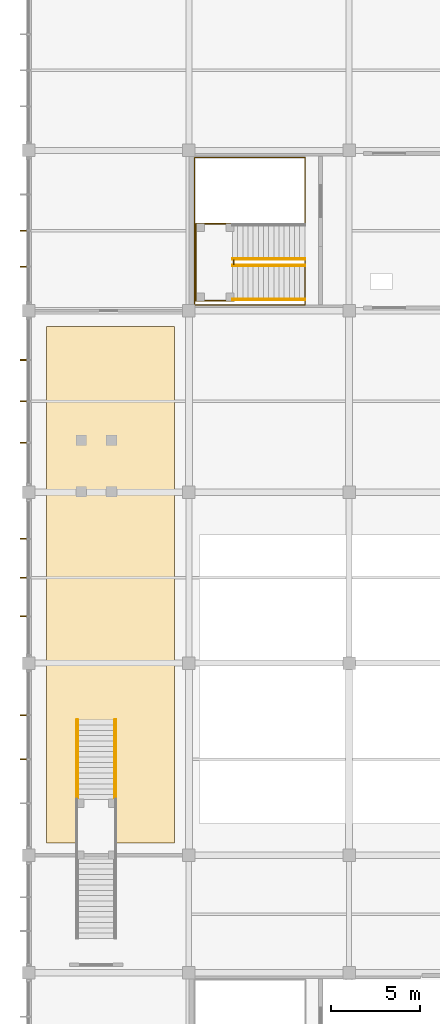
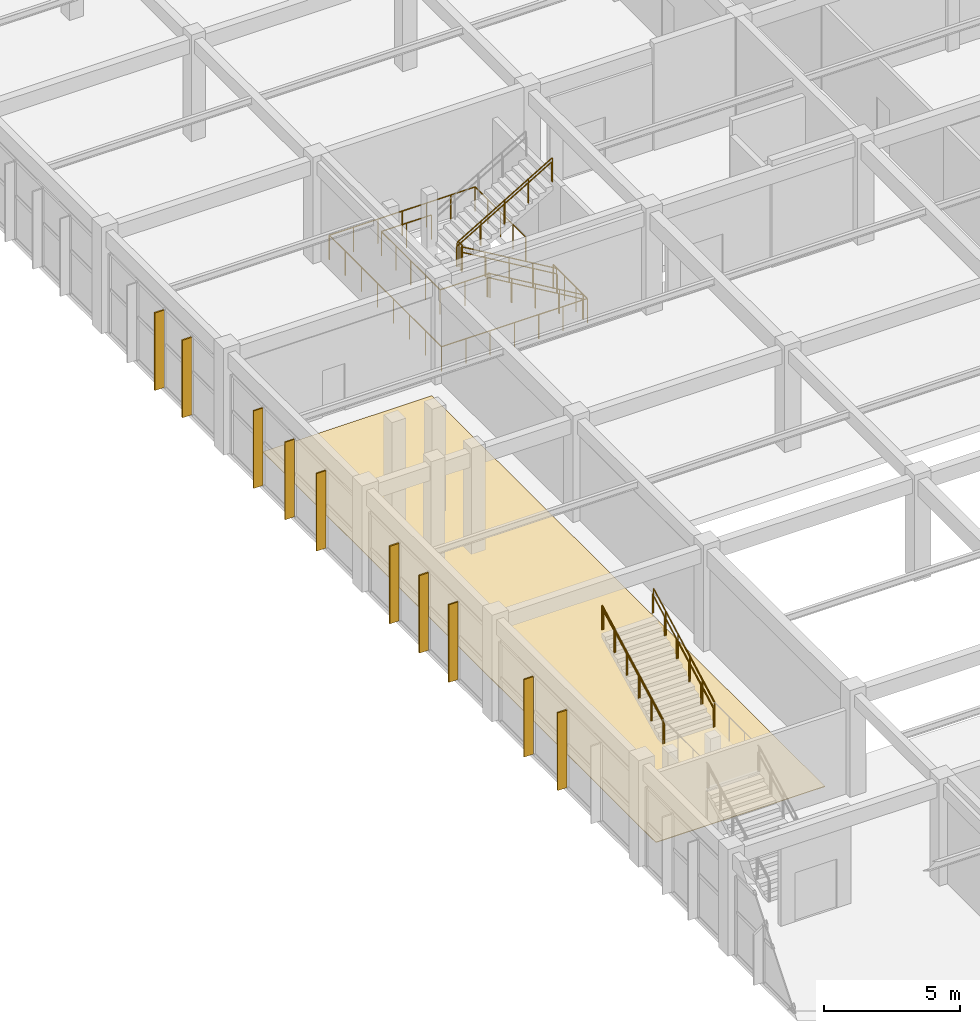
# One storey, part 59 of 74: 13 railings, 10 shading devices, 1 covering.
"""IFC4 building model written with IfcOpenShell, lengths in metres."""

from ifc_helpers import new_model, si_unit, direction, frame, origin, origin_2d, place, context, subcontext, project, spatial, polyline, rectangle, circle, outline, extrude, material, layer, layer_set, type_object, element, save


model = new_model("IFC4")

# Units and contexts
model_context = context("Model", 3, precision=1e-05, world=origin(), true_north=direction((0.0, 1.0)))
body_context = subcontext(model_context, "Body", "Model", "MODEL_VIEW")
ifc_project = project(units=[si_unit("LENGTHUNIT", "METRE"), si_unit("AREAUNIT", "SQUARE_METRE"), si_unit("VOLUMEUNIT", "CUBIC_METRE"), si_unit("PLANEANGLEUNIT", "RADIAN"), si_unit("MASSUNIT", "GRAM", prefix="KILO")], contexts=[model_context])

# Site, building, storey
site_placement = place(None, origin())
site = spatial("IfcSite", under=ifc_project, at=site_placement, CompositionType="ELEMENT")
building_placement = place(site_placement, origin())
building = spatial("IfcBuilding", under=site, at=building_placement, Name="Suirenkawa Promenade Aquatics Centre", CompositionType="ELEMENT")
storey_placement = place(building_placement, frame((0.0, 0.0, 4.800048828125)))
storey = spatial("IfcBuildingStorey", under=building, at=storey_placement, Name="L01", CompositionType="ELEMENT", Elevation=4.800048828125)

# Covering
ifc_material_1 = material(Name="Vitrified anti-slip natatorium ceramic tile")
ifc_layer = layer(ifc_material_1, 0.02490234375, Name="Vitrified anti-slip natatorium ceramic tile")
ifc_layer_set = layer_set([ifc_layer], Name="Vitrified anti-slip natatorium ceramic tile")
covering_type = type_object("IfcCoveringType", Name="CVT-WET-TILE", PredefinedType="FLOORING", material=ifc_layer_set)
covering_placement = place(storey_placement, origin())
element("IfcCovering", 1, at=covering_placement, inside=storey, type_object=covering_type, Name="Floor finish FLR-01 FLR-007", PredefinedType="FLOORING", context=body_context, shape_type="SweptSolid", body=[
    extrude(outline(polyline([(1.0, 29.5), (8.199951171875, 29.5), (8.199951171875, 58.5), (1.0, 58.5), (1.0, 29.5)])), origin(), (0.0, 0.0, 1.0), 0.02490234375),
])

# Railings
ifc_material_2 = material(Name="Marine-grade stainless steel Grade 316L", Category="steel")
railing_type_1 = type_object("IfcRailingType", Name="RLT-GUARD-1120", PredefinedType="GUARDRAIL", material=ifc_material_2)
for number, where, name in (
    (2, (15.514892578125, 61.9599609375, 0.0), "Guardrail GRD-01 RL-0071"),
    (3, (15.514892578125, 60.0, 0.0), "Guardrail GRD-01 RL-0073"),
):
    element("IfcRailing", number, at=place(storey_placement, frame(where)), inside=storey, type_object=railing_type_1, Name=name, PredefinedType="GUARDRAIL", context=body_context, shape_type="SweptSolid", body=[
        extrude(circle(Radius=0.02392578125, at=origin_2d()), frame((0.0, 0.0, 1.09619140625), z_axis=(-0.860840976868, 0.0, 0.508874063541), x_axis=(0.0, -1.0, 0.0)), (0.0, 0.0, 1.0), 4.716064453125),
        extrude(circle(Radius=0.02099609375, at=origin_2d()), origin(), (0.0, 0.0, 1.0), 1.072021484375),
        extrude(circle(Radius=0.02099609375, at=origin_2d()), frame((-1.014892578125, 0.0, 0.60009765625)), (0.0, 0.0, 1.0), 1.072021484375),
        extrude(circle(Radius=0.02099609375, at=origin_2d()), frame((-2.02978515625, 0.0, 1.199951171875)), (0.0, 0.0, 1.0), 1.072021484375),
        extrude(circle(Radius=0.02099609375, at=origin_2d()), frame((-3.044921875, 0.0, 1.7998046875)), (0.0, 0.0, 1.0), 1.072021484375),
        extrude(circle(Radius=0.02099609375, at=origin_2d()), frame((-4.059814453125, 0.0, 2.39990234375)), (0.0, 0.0, 1.0), 1.072021484375),
    ])
railing_1_placement = place(storey_placement, frame((11.455078125, 62.27001953125, 2.39990234375)))
element("IfcRailing", 4, at=railing_1_placement, inside=storey, type_object=railing_type_1, Name="Guardrail GRD-01 RL-0075", PredefinedType="GUARDRAIL", context=body_context, shape_type="SweptSolid", body=[
    extrude(circle(Radius=0.02392578125, at=origin_2d()), frame((0.0, 0.0, 1.09619140625), z_axis=(0.860818299379, 0.0, 0.50891242415), x_axis=(0.0, 1.0, 0.0)), (0.0, 0.0, 1.0), 4.71630859375),
    extrude(circle(Radius=0.02099609375, at=origin_2d()), origin(), (0.0, 0.0, 1.0), 1.072021484375),
    extrude(circle(Radius=0.02099609375, at=origin_2d()), frame((1.014892578125, 0.0, 0.60009765625)), (0.0, 0.0, 1.0), 1.072021484375),
    extrude(circle(Radius=0.02099609375, at=origin_2d()), frame((2.02978515625, 0.0, 1.2001953125)), (0.0, 0.0, 1.0), 1.072021484375),
    extrude(circle(Radius=0.02099609375, at=origin_2d()), frame((3.044921875, 0.0, 1.800048828125)), (0.0, 0.0, 1.0), 1.072021484375),
    extrude(circle(Radius=0.02099609375, at=origin_2d()), frame((4.059814453125, 0.0, 2.400146484375)), (0.0, 0.0, 1.0), 1.072021484375),
])
railing_2_placement = place(storey_placement, frame((11.52001953125, 59.949951171875, 2.39990234375)))
element("IfcRailing", 5, at=railing_2_placement, inside=storey, type_object=railing_type_1, Name="Guardrail GRD-01 RL-0079", PredefinedType="GUARDRAIL", context=body_context, shape_type="SweptSolid", body=[
    extrude(circle(Radius=0.02392578125, at=origin_2d()), frame((0.0, 0.0, 1.09619140625), z_axis=(-1.0, 0.0, 0.0), x_axis=(0.0, -1.0, 0.0)), (0.0, 0.0, 1.0), 2.130126953125),
    extrude(circle(Radius=0.02392578125, at=origin_2d()), frame((-2.130126953125, 0.0, 1.09619140625), z_axis=(0.0, 1.0, 0.0), x_axis=(-1.0, 0.0, 0.0)), (0.0, 0.0, 1.0), 4.330078125),
    extrude(circle(Radius=0.02392578125, at=origin_2d()), frame((-2.130126953125, 4.330078125, 1.09619140625), z_axis=(1.0, 0.0, 0.0), x_axis=(0.0, 1.0, 0.0)), (0.0, 0.0, 1.0), 2.130126953125),
    extrude(circle(Radius=0.02099609375, at=origin_2d()), origin(), (0.0, 0.0, 1.0), 1.072021484375),
    extrude(circle(Radius=0.02099609375, at=origin_2d()), frame((-1.06494140625, 0.0, 0.0)), (0.0, 0.0, 1.0), 1.072021484375),
    extrude(circle(Radius=0.02099609375, at=origin_2d()), frame((-2.130126953125, 0.0, 0.0)), (0.0, 0.0, 1.0), 1.072021484375),
    extrude(circle(Radius=0.02099609375, at=origin_2d()), frame((-2.130126953125, 1.08251953125, 0.0)), (0.0, 0.0, 1.0), 1.072021484375),
    extrude(circle(Radius=0.02099609375, at=origin_2d()), frame((-2.130126953125, 2.1650390625, 0.0)), (0.0, 0.0, 1.0), 1.072021484375),
    extrude(circle(Radius=0.02099609375, at=origin_2d()), frame((-2.130126953125, 3.24755859375, 0.0)), (0.0, 0.0, 1.0), 1.072021484375),
    extrude(circle(Radius=0.02099609375, at=origin_2d()), frame((-2.130126953125, 4.330078125, 0.0)), (0.0, 0.0, 1.0), 1.072021484375),
    extrude(circle(Radius=0.02099609375, at=origin_2d()), frame((-1.06494140625, 4.330078125, 0.0)), (0.0, 0.0, 1.0), 1.072021484375),
    extrude(circle(Radius=0.02099609375, at=origin_2d()), frame((0.0, 4.330078125, 0.0)), (0.0, 0.0, 1.0), 1.072021484375),
])
railing_3_placement = place(storey_placement, frame((11.52001953125, 61.989990234375, 2.39990234375)))
element("IfcRailing", 6, at=railing_3_placement, inside=storey, type_object=railing_type_1, Name="Guardrail GRD-01 RL-0080", PredefinedType="GUARDRAIL", context=body_context, shape_type="SweptSolid", body=[
    extrude(circle(Radius=0.02392578125, at=origin_2d()), frame((0.0, 0.0, 1.09619140625), z_axis=(0.0, 1.0, 0.0), x_axis=(-1.0, 0.0, 0.0)), (0.0, 0.0, 1.0), 0.25),
    extrude(circle(Radius=0.02099609375, at=origin_2d()), origin(), (0.0, 0.0, 1.0), 1.072021484375),
    extrude(circle(Radius=0.02099609375, at=origin_2d()), frame((0.0, 0.25, 0.0)), (0.0, 0.0, 1.0), 1.072021484375),
])
for number, where, name in (
    (7, (2.705078125, 31.919921875, 2.39990234375), "Guardrail GRD-01 RL-0355"),
    (8, (4.89501953125, 31.919921875, 2.39990234375), "Guardrail GRD-01 RL-0357"),
):
    element("IfcRailing", number, at=place(storey_placement, frame(where)), inside=storey, type_object=railing_type_1, Name=name, PredefinedType="GUARDRAIL", context=body_context, shape_type="SweptSolid", body=[
        extrude(circle(Radius=0.02392578125, at=origin_2d()), frame((0.0, 0.0, 1.09619140625), z_axis=(0.0, 0.882341014787, 0.470610596591), x_axis=(-1.0, 0.0, 0.0)), (0.0, 0.0, 1.0), 5.10009765625),
        extrude(circle(Radius=0.02099609375, at=origin_2d()), origin(), (0.0, 0.0, 1.0), 1.072021484375),
        extrude(circle(Radius=0.02099609375, at=origin_2d()), frame((0.0, 0.89990234375, 0.47998046875)), (0.0, 0.0, 1.0), 1.072021484375),
        extrude(circle(Radius=0.02099609375, at=origin_2d()), frame((0.0, 1.800048828125, 0.9599609375)), (0.0, 0.0, 1.0), 1.072021484375),
        extrude(circle(Radius=0.02099609375, at=origin_2d()), frame((0.0, 2.699951171875, 1.440185546875)), (0.0, 0.0, 1.0), 1.072021484375),
        extrude(circle(Radius=0.02099609375, at=origin_2d()), frame((0.0, 3.60009765625, 1.920166015625)), (0.0, 0.0, 1.0), 1.072021484375),
        extrude(circle(Radius=0.02099609375, at=origin_2d()), frame((0.0, 4.5, 2.400146484375)), (0.0, 0.0, 1.0), 1.072021484375),
    ])
railing_4_placement = place(storey_placement, frame((15.530029296875, 64.260009765625, 0.0)))
element("IfcRailing", 9, at=railing_4_placement, inside=storey, type_object=railing_type_1, Name="Guardrail GRD-01 RL-0408", PredefinedType="GUARDRAIL", context=body_context, shape_type="SweptSolid", body=[
    extrude(circle(Radius=0.02392578125, at=origin_2d()), frame((0.0, 0.0, 1.09619140625), z_axis=(0.0, 1.0, 0.0), x_axis=(-1.0, 0.0, 0.0)), (0.0, 0.0, 1.0), 3.739990234375),
    extrude(circle(Radius=0.02392578125, at=origin_2d()), frame((0.0, 3.739990234375, 1.09619140625), z_axis=(-1.0, 0.0, 0.0), x_axis=(0.0, -1.0, 0.0)), (0.0, 0.0, 1.0), 6.2099609375),
    extrude(circle(Radius=0.02392578125, at=origin_2d()), frame((-6.2099609375, 3.739990234375, 1.09619140625), z_axis=(0.0, -1.0, 0.0), x_axis=(1.0, 0.0, 0.0)), (0.0, 0.0, 1.0), 8.280029296875),
    extrude(circle(Radius=0.02392578125, at=origin_2d()), frame((-6.2099609375, -4.5400390625, 1.09619140625), z_axis=(1.0, 0.0, 0.0), x_axis=(0.0, 1.0, 0.0)), (0.0, 0.0, 1.0), 6.2099609375),
    extrude(circle(Radius=0.02392578125, at=origin_2d()), frame((0.0, -4.5400390625, 1.09619140625), z_axis=(0.0, 1.0, 0.0), x_axis=(-1.0, 0.0, 0.0)), (0.0, 0.0, 1.0), 2.52001953125),
    extrude(circle(Radius=0.02099609375, at=origin_2d()), origin(), (0.0, 0.0, 1.0), 1.072021484375),
    extrude(circle(Radius=0.02099609375, at=origin_2d()), frame((0.0, 0.93505859375, 0.0)), (0.0, 0.0, 1.0), 1.072021484375),
    extrude(circle(Radius=0.02099609375, at=origin_2d()), frame((0.0, 1.8701171875, 0.0)), (0.0, 0.0, 1.0), 1.072021484375),
    extrude(circle(Radius=0.02099609375, at=origin_2d()), frame((0.0, 2.804931640625, 0.0)), (0.0, 0.0, 1.0), 1.072021484375),
    extrude(circle(Radius=0.02099609375, at=origin_2d()), frame((0.0, 3.739990234375, 0.0)), (0.0, 0.0, 1.0), 1.072021484375),
    extrude(circle(Radius=0.02099609375, at=origin_2d()), frame((-1.034912109375, 3.739990234375, 0.0)), (0.0, 0.0, 1.0), 1.072021484375),
    extrude(circle(Radius=0.02099609375, at=origin_2d()), frame((-2.070068359375, 3.739990234375, 0.0)), (0.0, 0.0, 1.0), 1.072021484375),
    extrude(circle(Radius=0.02099609375, at=origin_2d()), frame((-3.10498046875, 3.739990234375, 0.0)), (0.0, 0.0, 1.0), 1.072021484375),
    extrude(circle(Radius=0.02099609375, at=origin_2d()), frame((-4.139892578125, 3.739990234375, 0.0)), (0.0, 0.0, 1.0), 1.072021484375),
    extrude(circle(Radius=0.02099609375, at=origin_2d()), frame((-5.175048828125, 3.739990234375, 0.0)), (0.0, 0.0, 1.0), 1.072021484375),
    extrude(circle(Radius=0.02099609375, at=origin_2d()), frame((-6.2099609375, 3.739990234375, 0.0)), (0.0, 0.0, 1.0), 1.072021484375),
    extrude(circle(Radius=0.02099609375, at=origin_2d()), frame((-6.2099609375, 2.55712890625, 0.0)), (0.0, 0.0, 1.0), 1.072021484375),
    extrude(circle(Radius=0.02099609375, at=origin_2d()), frame((-6.2099609375, 1.374267578125, 0.0)), (0.0, 0.0, 1.0), 1.072021484375),
    extrude(circle(Radius=0.02099609375, at=origin_2d()), frame((-6.2099609375, 0.19140625, 0.0)), (0.0, 0.0, 1.0), 1.072021484375),
    extrude(circle(Radius=0.02099609375, at=origin_2d()), frame((-6.2099609375, -0.991455078125, 0.0)), (0.0, 0.0, 1.0), 1.072021484375),
    extrude(circle(Radius=0.02099609375, at=origin_2d()), frame((-6.2099609375, -2.17431640625, 0.0)), (0.0, 0.0, 1.0), 1.072021484375),
    extrude(circle(Radius=0.02099609375, at=origin_2d()), frame((-6.2099609375, -3.357177734375, 0.0)), (0.0, 0.0, 1.0), 1.072021484375),
    extrude(circle(Radius=0.02099609375, at=origin_2d()), frame((-6.2099609375, -4.5400390625, 0.0)), (0.0, 0.0, 1.0), 1.072021484375),
    extrude(circle(Radius=0.02099609375, at=origin_2d()), frame((-5.175048828125, -4.5400390625, 0.0)), (0.0, 0.0, 1.0), 1.072021484375),
    extrude(circle(Radius=0.02099609375, at=origin_2d()), frame((-4.139892578125, -4.5400390625, 0.0)), (0.0, 0.0, 1.0), 1.072021484375),
    extrude(circle(Radius=0.02099609375, at=origin_2d()), frame((-3.10498046875, -4.5400390625, 0.0)), (0.0, 0.0, 1.0), 1.072021484375),
    extrude(circle(Radius=0.02099609375, at=origin_2d()), frame((-2.070068359375, -4.5400390625, 0.0)), (0.0, 0.0, 1.0), 1.072021484375),
    extrude(circle(Radius=0.02099609375, at=origin_2d()), frame((-1.034912109375, -4.5400390625, 0.0)), (0.0, 0.0, 1.0), 1.072021484375),
    extrude(circle(Radius=0.02099609375, at=origin_2d()), frame((0.0, -4.5400390625, 0.0)), (0.0, 0.0, 1.0), 1.072021484375),
    extrude(circle(Radius=0.02099609375, at=origin_2d()), frame((0.0, -3.699951171875, 0.0)), (0.0, 0.0, 1.0), 1.072021484375),
    extrude(circle(Radius=0.02099609375, at=origin_2d()), frame((0.0, -2.860107421875, 0.0)), (0.0, 0.0, 1.0), 1.072021484375),
    extrude(circle(Radius=0.02099609375, at=origin_2d()), frame((0.0, -2.02001953125, 0.0)), (0.0, 0.0, 1.0), 1.072021484375),
])
railing_type_2 = type_object("IfcRailingType", Name="RLT-HANDRAIL-900", PredefinedType="HANDRAIL", material=ifc_material_2)
for number, where, name in (
    (10, (15.514892578125, 61.909912109375, 0.0), "Handrail HRL-01 RL-0072"),
    (11, (15.514892578125, 60.050048828125, 0.0), "Handrail HRL-01 RL-0074"),
):
    element("IfcRailing", number, at=place(storey_placement, frame(where)), inside=storey, type_object=railing_type_2, Name=name, PredefinedType="HANDRAIL", context=body_context, shape_type="SweptSolid", body=[
        extrude(circle(Radius=0.02392578125, at=origin_2d()), frame((0.0, 0.0, 0.8759765625), z_axis=(-0.860840976868, 0.0, 0.508874063541), x_axis=(0.0, -1.0, 0.0)), (0.0, 0.0, 1.0), 4.716064453125),
        extrude(circle(Radius=0.02099609375, at=origin_2d()), origin(), (0.0, 0.0, 1.0), 0.851806640625),
        extrude(circle(Radius=0.02099609375, at=origin_2d()), frame((-1.014892578125, 0.0, 0.60009765625)), (0.0, 0.0, 1.0), 0.851806640625),
        extrude(circle(Radius=0.02099609375, at=origin_2d()), frame((-2.02978515625, 0.0, 1.199951171875)), (0.0, 0.0, 1.0), 0.851806640625),
        extrude(circle(Radius=0.02099609375, at=origin_2d()), frame((-3.044921875, 0.0, 1.7998046875)), (0.0, 0.0, 1.0), 0.851806640625),
        extrude(circle(Radius=0.02099609375, at=origin_2d()), frame((-4.059814453125, 0.0, 2.39990234375)), (0.0, 0.0, 1.0), 0.851806640625),
    ])
railing_5_placement = place(storey_placement, frame((11.455078125, 62.320068359375, 2.39990234375)))
element("IfcRailing", 12, at=railing_5_placement, inside=storey, type_object=railing_type_2, Name="Handrail HRL-01 RL-0076", PredefinedType="HANDRAIL", context=body_context, shape_type="SweptSolid", body=[
    extrude(circle(Radius=0.02392578125, at=origin_2d()), frame((0.0, 0.0, 0.8759765625), z_axis=(0.860818299379, 0.0, 0.50891242415), x_axis=(0.0, 1.0, 0.0)), (0.0, 0.0, 1.0), 4.71630859375),
    extrude(circle(Radius=0.02099609375, at=origin_2d()), origin(), (0.0, 0.0, 1.0), 0.851806640625),
    extrude(circle(Radius=0.02099609375, at=origin_2d()), frame((1.014892578125, 0.0, 0.60009765625)), (0.0, 0.0, 1.0), 0.851806640625),
    extrude(circle(Radius=0.02099609375, at=origin_2d()), frame((2.02978515625, 0.0, 1.2001953125)), (0.0, 0.0, 1.0), 0.851806640625),
    extrude(circle(Radius=0.02099609375, at=origin_2d()), frame((3.044921875, 0.0, 1.800048828125)), (0.0, 0.0, 1.0), 0.851806640625),
    extrude(circle(Radius=0.02099609375, at=origin_2d()), frame((4.059814453125, 0.0, 2.400146484375)), (0.0, 0.0, 1.0), 0.851806640625),
])
for number, where, name in (
    (13, (2.7548828125, 31.919921875, 2.39990234375), "Handrail HRL-01 RL-0356"),
    (14, (4.844970703125, 31.919921875, 2.39990234375), "Handrail HRL-01 RL-0358"),
):
    element("IfcRailing", number, at=place(storey_placement, frame(where)), inside=storey, type_object=railing_type_2, Name=name, PredefinedType="HANDRAIL", context=body_context, shape_type="SweptSolid", body=[
        extrude(circle(Radius=0.02392578125, at=origin_2d()), frame((0.0, 0.0, 0.8759765625), z_axis=(0.0, 0.882341014787, 0.470610596591), x_axis=(-1.0, 0.0, 0.0)), (0.0, 0.0, 1.0), 5.10009765625),
        extrude(circle(Radius=0.02099609375, at=origin_2d()), origin(), (0.0, 0.0, 1.0), 0.851806640625),
        extrude(circle(Radius=0.02099609375, at=origin_2d()), frame((0.0, 0.89990234375, 0.47998046875)), (0.0, 0.0, 1.0), 0.851806640625),
        extrude(circle(Radius=0.02099609375, at=origin_2d()), frame((0.0, 1.800048828125, 0.9599609375)), (0.0, 0.0, 1.0), 0.851806640625),
        extrude(circle(Radius=0.02099609375, at=origin_2d()), frame((0.0, 2.699951171875, 1.440185546875)), (0.0, 0.0, 1.0), 0.851806640625),
        extrude(circle(Radius=0.02099609375, at=origin_2d()), frame((0.0, 3.60009765625, 1.920166015625)), (0.0, 0.0, 1.0), 0.851806640625),
        extrude(circle(Radius=0.02099609375, at=origin_2d()), frame((0.0, 4.5, 2.400146484375)), (0.0, 0.0, 1.0), 0.851806640625),
    ])

# Shading devices
ifc_material_3 = material(Name="Anodised aluminium 6063-T6", Category="aluminium")
shading_device_type = type_object("IfcShadingDeviceType", Name="SDT-KOUSHI-400", PredefinedType="USERDEFINED", material=ifc_material_3)
for number, where, z_axis, x_axis, name in (
    (15, (-0.287109375, 34.199951171875, 0.0400390625), (0.0, 0.0, 1.0), (-1.0, 0.0, 0.0), "Vertical solar shading fin FN-01 FIN-0104"),
    (16, (-0.287109375, 36.675537109375, 0.0400390625), (0.0, 0.0, 1.0), (-1.0, 0.0, 0.0), "Vertical solar shading fin FN-01 FIN-0105"),
    (17, (-0.287109375, 42.224609375, 0.0400390625), (0.0, 0.0, 1.0), (-1.0, 0.0, 0.0), "Vertical solar shading fin FN-01 FIN-0109"),
    (18, (-0.287109375, 44.39990234375, 0.0400390625), (0.0, 0.0, 1.0), (-1.0, 0.0, 0.0), "Vertical solar shading fin FN-01 FIN-0110"),
    (19, (-0.287109375, 46.575439453125, 0.0400390625), (0.0, 0.0, 1.0), (-1.0, 0.0, 0.0), "Vertical solar shading fin FN-01 FIN-0111"),
    (20, (-0.287109375, 51.974609375, 0.0400390625), (0.0, 0.0, 1.0), (-1.0, 0.0, 0.0), "Vertical solar shading fin FN-01 FIN-0112"),
    (21, (-0.287109375, 54.300048828125, 0.0400390625), (0.0, 0.0, 1.0), (-1.0, 0.0, 0.0), "Vertical solar shading fin FN-01 FIN-0113"),
    (22, (-0.287109375, 56.62548828125, 0.0400390625), (0.0, 0.0, 1.0), (-1.0, 0.0, 0.0), "Vertical solar shading fin FN-01 FIN-0114"),
    (23, (-0.287109375, 61.87451171875, 0.0400390625), (0.0, 0.0, 1.0), (-1.0, 0.0, 0.0), "Vertical solar shading fin FN-01 FIN-0118"),
    (24, (-0.287109375, 63.89990234375, 0.0400390625), (0.0, 0.0, 1.0), (-1.0, 0.0, 0.0), "Vertical solar shading fin FN-01 FIN-0119"),
):
    element("IfcShadingDevice", number, at=place(storey_placement, frame(where, z_axis=z_axis, x_axis=x_axis)), inside=storey, type_object=shading_device_type, Name=name, ObjectType="FIN", PredefinedType="USERDEFINED", context=body_context, shape_type="SweptSolid", body=[
        extrude(rectangle(XDim=0.39990234375, YDim=0.06005859375, at=origin_2d()), origin(), (0.0, 0.0, 1.0), 3.489990234375),
    ])

save(model, "model.ifc")
